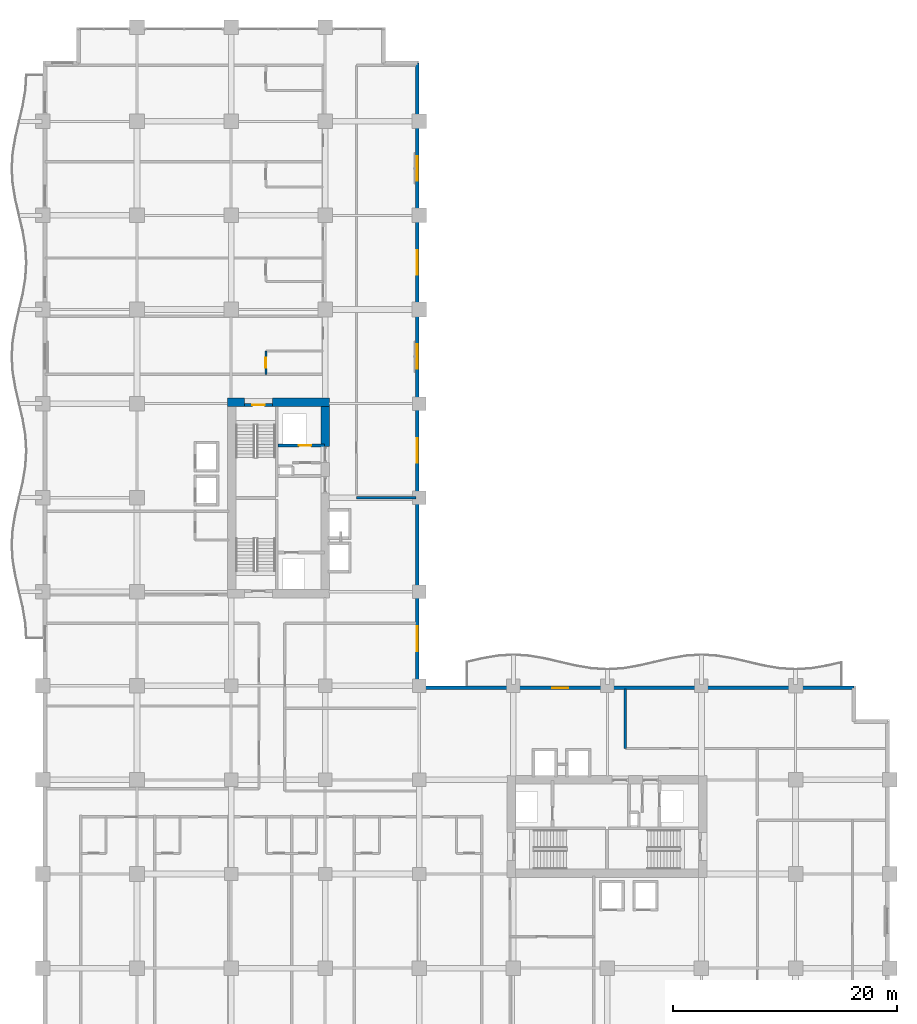
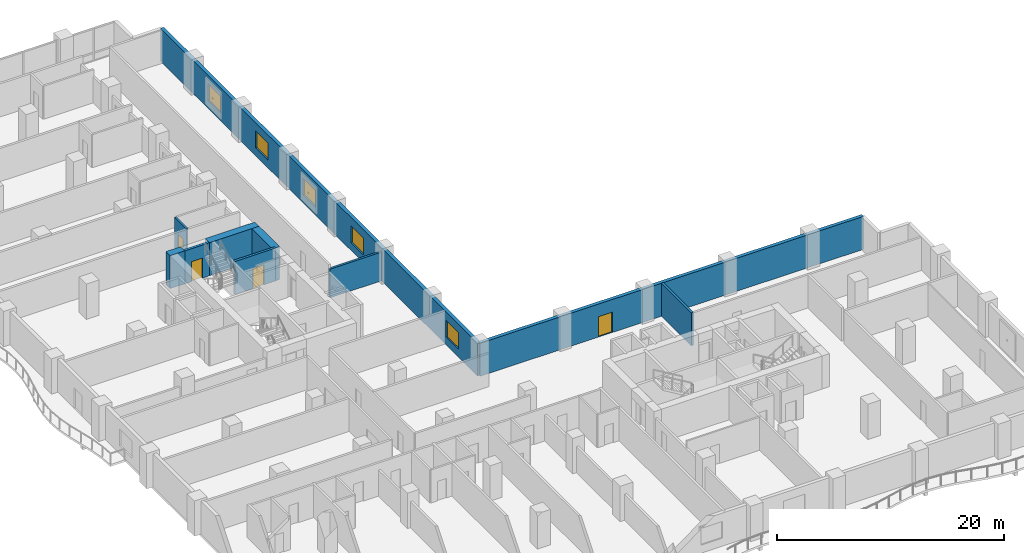
# One storey, part 11 of 20: 10 walls, 5 windows, 4 doors, 9 openings.
"""IFC4 building model written with IfcOpenShell, lengths in metres."""

from ifc_helpers import new_model, si_unit, direction, frame, frame_2d, origin, place, context, subcontext, project, spatial, rectangle, extrude, material, layer, layer_set, type_object, element, fill, save


model = new_model("IFC4")

# Units and contexts
model_context = context("Model", 3, precision=1e-05, world=origin(), true_north=direction((0.0, 1.0)))
body_context = subcontext(model_context, "Body", "Model", "MODEL_VIEW")
ifc_project = project(units=[si_unit("LENGTHUNIT", "METRE"), si_unit("AREAUNIT", "SQUARE_METRE"), si_unit("VOLUMEUNIT", "CUBIC_METRE"), si_unit("PLANEANGLEUNIT", "RADIAN"), si_unit("MASSUNIT", "GRAM", prefix="KILO")], contexts=[model_context])

# Site, building, storey
site_placement = place(None, origin())
site = spatial("IfcSite", under=ifc_project, at=site_placement, CompositionType="ELEMENT")
building_placement = place(site_placement, origin())
building = spatial("IfcBuilding", under=site, at=building_placement, Name="Koriwani Terraces Tower", CompositionType="ELEMENT")
storey_placement = place(building_placement, frame((0.0, 0.0, 126.60009765625)))
storey = spatial("IfcBuildingStorey", under=building, at=storey_placement, Name="L30", CompositionType="ELEMENT", Elevation=126.60009765625)

# Walls
ifc_material_1 = material(Name="Concrete C60/75", Category="concrete")
ifc_layer_1 = layer(ifc_material_1, 0.75, Name="Concrete C60/75")
ifc_layer_set_1 = layer_set([ifc_layer_1], Name="Concrete C60/75")
wall_type_1 = type_object("IfcWallType", Name="WALL_CORE_RC_750", PredefinedType="SHEAR", material=ifc_layer_set_1)
wall_1_placement = place(storey_placement, frame((16.5, 58.925048828125, 0.0), z_axis=(0.0, 0.0, 1.0), x_axis=(1.0, 0.0, 0.0)))
element("IfcWall", 1, at=wall_1_placement, inside=storey, type_object=wall_type_1, Name="L30 West Split Core Shear Wall N1", PredefinedType="SHEAR", context=body_context, shape_type="SweptSolid", body=[
    extrude(rectangle(XDim=1.5, YDim=0.75, at=frame_2d((0.75, 0.0))), origin(), (0.0, 0.0, 1.0), 3.5498046875),
])
wall_2_placement = place(storey_placement, frame((20.5, 58.925048828125, 0.0), z_axis=(0.0, 0.0, 1.0), x_axis=(1.0, 0.0, 0.0)))
element("IfcWall", 2, at=wall_2_placement, inside=storey, type_object=wall_type_1, Name="L30 West Split Core Shear Wall N2", PredefinedType="SHEAR", context=body_context, shape_type="SweptSolid", body=[
    extrude(rectangle(XDim=5.074951171875, YDim=0.75, at=frame_2d((2.53759765625, 0.0))), origin(), (0.0, 0.0, 1.0), 3.5498046875),
])
wall_3_placement = place(storey_placement, frame((25.199951171875, 54.949951171875, 0.0), z_axis=(0.0, 0.0, 1.0), x_axis=(0.0, 1.0, 0.0)))
element("IfcWall", 3, at=wall_3_placement, inside=storey, type_object=wall_type_1, Name="L30 West Split Core Shear Wall E3", PredefinedType="SHEAR", context=body_context, shape_type="SweptSolid", body=[
    extrude(rectangle(XDim=3.60009765625, YDim=0.75, at=frame_2d((1.800048828125, 0.0))), origin(), (0.0, 0.0, 1.0), 3.5498046875),
])
ifc_material_2 = material(Name="Autoclaved Cellular Concrete Blockwork", Category="masonry")
ifc_layer_2 = layer(ifc_material_2, 0.219970703125, Name="Autoclaved Cellular Concrete Blockwork")
ifc_layer_set_2 = layer_set([ifc_layer_2], Name="Autoclaved Cellular Concrete Blockwork")
wall_type_2 = type_object("IfcWallType", Name="WALL_DEMISING_220", PredefinedType="PARTITIONING", material=ifc_layer_set_2)
wall_4_placement = place(storey_placement, frame((28.0, 50.39990234375, 0.0), z_axis=(0.0, 0.0, 1.0), x_axis=(1.0, 0.0, 0.0)))
element("IfcWall", 4, at=wall_4_placement, inside=storey, type_object=wall_type_2, Name="L30 Interior Wall WNEC-S-L30", PredefinedType="PARTITIONING", context=body_context, shape_type="SweptSolid", body=[
    extrude(rectangle(XDim=5.300048828125, YDim=0.219970703125, at=frame_2d((2.64990234375, 0.0))), origin(), (0.0, 0.0, 1.0), 3.0869140625),
])
wall_5_placement = place(storey_placement, frame((52.0, 28.0, 0.0), z_axis=(0.0, 0.0, 1.0), x_axis=(0.0, 1.0, 0.0)))
element("IfcWall", 5, at=wall_5_placement, inside=storey, type_object=wall_type_2, Name="L30 Interior Wall WSET2-W-L30", PredefinedType="PARTITIONING", context=body_context, shape_type="SweptSolid", body=[
    extrude(rectangle(XDim=5.300048828125, YDim=0.219970703125, at=frame_2d((2.64990234375, 0.0))), origin(), (0.0, 0.0, 1.0), 3.5498046875),
])

# Wall, openings, windows
ifc_material_3 = material(Name="Concrete C50/60", Category="concrete")
ifc_layer_3 = layer(ifc_material_3, 0.35009765625, Name="Concrete C50/60")
ifc_layer_set_3 = layer_set([ifc_layer_3], Name="Concrete C50/60")
wall_type_3 = type_object("IfcWallType", Name="WALL_EXT_BRUTALIST_350", PredefinedType="STANDARD", material=ifc_layer_set_3)
wall_6_placement = place(storey_placement, frame((33.425048828125, 89.22509765625, 0.0), z_axis=(0.0, 0.0, 1.0), x_axis=(0.0, -1.0, 0.0)))
wall_6 = element("IfcWall", 6, at=wall_6_placement, inside=storey, type_object=wall_type_3, Name="L30 Fair-Faced Brutalist Exterior Wall (NW_IN)", PredefinedType="STANDARD", context=body_context, shape_type="SweptSolid", body=[
    extrude(rectangle(XDim=55.800048828125, YDim=0.35009765625, at=frame_2d((27.89990234375, 0.0))), origin(), (0.0, 0.0, 1.0), 3.5498046875),
])
opening_1_placement = place(wall_6_placement, frame((50.324951171875, 0.0, 0.85009765625)))
opening_1 = element("IfcOpeningElement", 7, at=opening_1_placement, cuts=wall_6, Name="Opening W-01", PredefinedType="OPENING", context=body_context, shape_type="SweptSolid", body=[
    extrude(rectangle(XDim=2.199951171875, YDim=1.800048828125, at=frame_2d((1.10009765625, 0.89990234375))), frame((0.0, 0.18505859375, 0.0), z_axis=(0.0, -1.0, 0.0), x_axis=(1.0, 0.0, 0.0)), (0.0, 0.0, 1.0), 0.3701171875),
])
opening_2_placement = place(wall_6_placement, frame((33.52490234375, 0.0, 0.85009765625)))
opening_2 = element("IfcOpeningElement", 8, at=opening_2_placement, cuts=wall_6, Name="Opening W-01", PredefinedType="OPENING", context=body_context, shape_type="SweptSolid", body=[
    extrude(rectangle(XDim=2.199951171875, YDim=1.800048828125, at=frame_2d((1.10009765625, 0.89990234375))), frame((0.0, 0.18505859375, 0.0), z_axis=(0.0, -1.0, 0.0), x_axis=(1.0, 0.0, 0.0)), (0.0, 0.0, 1.0), 0.3701171875),
])
opening_3_placement = place(wall_6_placement, frame((25.125, 0.0, 0.85009765625)))
opening_3 = element("IfcOpeningElement", 9, at=opening_3_placement, cuts=wall_6, Name="Opening W-01", PredefinedType="OPENING", context=body_context, shape_type="SweptSolid", body=[
    extrude(rectangle(XDim=2.199951171875, YDim=1.800048828125, at=frame_2d((1.10009765625, 0.89990234375))), frame((0.0, 0.18505859375, 0.0), z_axis=(0.0, -1.0, 0.0), x_axis=(1.0, 0.0, 0.0)), (0.0, 0.0, 1.0), 0.3701171875),
])
opening_4_placement = place(wall_6_placement, frame((16.72509765625, 0.0, 0.85009765625)))
opening_4 = element("IfcOpeningElement", 10, at=opening_4_placement, cuts=wall_6, Name="Opening W-01", PredefinedType="OPENING", context=body_context, shape_type="SweptSolid", body=[
    extrude(rectangle(XDim=2.199951171875, YDim=1.800048828125, at=frame_2d((1.10009765625, 0.89990234375))), frame((0.0, 0.18505859375, 0.0), z_axis=(0.0, -1.0, 0.0), x_axis=(1.0, 0.0, 0.0)), (0.0, 0.0, 1.0), 0.3701171875),
])
opening_5_placement = place(wall_6_placement, frame((8.324951171875, 0.0, 0.85009765625)))
opening_5 = element("IfcOpeningElement", 11, at=opening_5_placement, cuts=wall_6, Name="Opening W-01", PredefinedType="OPENING", context=body_context, shape_type="SweptSolid", body=[
    extrude(rectangle(XDim=2.199951171875, YDim=1.800048828125, at=frame_2d((1.10009765625, 0.89990234375))), frame((0.0, 0.18505859375, 0.0), z_axis=(0.0, -1.0, 0.0), x_axis=(1.0, 0.0, 0.0)), (0.0, 0.0, 1.0), 0.3701171875),
])
ifc_material_4 = material(Name="Tempered Laminated Low-E Glass", Category="glass")
window_type = type_object("IfcWindowType", Name="WIN_HOTEL_STD_2200X1800", PartitioningType="DOUBLE_PANEL_VERTICAL", PredefinedType="WINDOW", material=ifc_material_4)
window_1_placement = place(opening_1_placement, origin())
window_1 = element("IfcWindow", 12, at=window_1_placement, inside=storey, type_object=window_type, Name="L30 Exterior Window (NW_IN-2)", OverallHeight=1.800048828125, OverallWidth=2.199951171875, PartitioningType="SINGLE_PANEL", PredefinedType="WINDOW", context=body_context, shape_type="SweptSolid", body=[
    extrude(rectangle(XDim=2.199951171875, YDim=1.800048828125, at=frame_2d((1.10009765625, 0.89990234375))), frame((0.0, 0.030029296875, 0.0), z_axis=(0.0, -1.0, 0.0), x_axis=(1.0, 0.0, 0.0)), (0.0, 0.0, 1.0), 0.06005859375),
])
fill(opening_1, window_1)
window_2_placement = place(opening_2_placement, origin())
window_2 = element("IfcWindow", 13, at=window_2_placement, inside=storey, type_object=window_type, Name="L30 Exterior Window (NW_IN-8)", OverallHeight=1.800048828125, OverallWidth=2.199951171875, PartitioningType="SINGLE_PANEL", PredefinedType="WINDOW", context=body_context, shape_type="SweptSolid", body=[
    extrude(rectangle(XDim=2.199951171875, YDim=1.800048828125, at=frame_2d((1.10009765625, 0.89990234375))), frame((0.0, 0.030029296875, 0.0), z_axis=(0.0, -1.0, 0.0), x_axis=(1.0, 0.0, 0.0)), (0.0, 0.0, 1.0), 0.06005859375),
])
fill(opening_2, window_2)
window_3_placement = place(opening_3_placement, origin())
window_3 = element("IfcWindow", 14, at=window_3_placement, inside=storey, type_object=window_type, Name="L30 Exterior Window (NW_IN-11)", OverallHeight=1.800048828125, OverallWidth=2.199951171875, PartitioningType="SINGLE_PANEL", PredefinedType="WINDOW", context=body_context, shape_type="SweptSolid", body=[
    extrude(rectangle(XDim=2.199951171875, YDim=1.800048828125, at=frame_2d((1.10009765625, 0.89990234375))), frame((0.0, 0.030029296875, 0.0), z_axis=(0.0, -1.0, 0.0), x_axis=(1.0, 0.0, 0.0)), (0.0, 0.0, 1.0), 0.06005859375),
])
fill(opening_3, window_3)
window_4_placement = place(opening_4_placement, origin())
window_4 = element("IfcWindow", 15, at=window_4_placement, inside=storey, type_object=window_type, Name="L30 Exterior Window (NW_IN-14)", OverallHeight=1.800048828125, OverallWidth=2.199951171875, PartitioningType="SINGLE_PANEL", PredefinedType="WINDOW", context=body_context, shape_type="SweptSolid", body=[
    extrude(rectangle(XDim=2.199951171875, YDim=1.800048828125, at=frame_2d((1.10009765625, 0.89990234375))), frame((0.0, 0.030029296875, 0.0), z_axis=(0.0, -1.0, 0.0), x_axis=(1.0, 0.0, 0.0)), (0.0, 0.0, 1.0), 0.06005859375),
])
fill(opening_4, window_4)
window_5_placement = place(opening_5_placement, origin())
window_5 = element("IfcWindow", 16, at=window_5_placement, inside=storey, type_object=window_type, Name="L30 Exterior Window (NW_IN-17)", OverallHeight=1.800048828125, OverallWidth=2.199951171875, PartitioningType="SINGLE_PANEL", PredefinedType="WINDOW", context=body_context, shape_type="SweptSolid", body=[
    extrude(rectangle(XDim=2.199951171875, YDim=1.800048828125, at=frame_2d((1.10009765625, 0.89990234375))), frame((0.0, 0.030029296875, 0.0), z_axis=(0.0, -1.0, 0.0), x_axis=(1.0, 0.0, 0.0)), (0.0, 0.0, 1.0), 0.06005859375),
])
fill(opening_5, window_5)

# Wall, opening, door
wall_7_placement = place(storey_placement, frame((33.425048828125, 33.425048828125, 0.0), z_axis=(0.0, 0.0, 1.0), x_axis=(1.0, 0.0, 0.0)))
wall_7 = element("IfcWall", 17, at=wall_7_placement, inside=storey, type_object=wall_type_3, Name="L30 Fair-Faced Brutalist Exterior Wall (NE)", PredefinedType="STANDARD", context=body_context, shape_type="SweptSolid", body=[
    extrude(rectangle(XDim=39.0, YDim=0.35009765625, at=frame_2d((19.5, 0.0))), origin(), (0.0, 0.0, 1.0), 3.5498046875),
])
opening_6_placement = place(wall_7_placement, frame((12.074951171875, 0.0, 0.0)))
opening_6 = element("IfcOpeningElement", 18, at=opening_6_placement, cuts=wall_7, Name="Opening D-09", PredefinedType="OPENING", context=body_context, shape_type="SweptSolid", body=[
    extrude(rectangle(XDim=1.39990234375, YDim=2.199951171875, at=frame_2d((0.699951171875, 1.10009765625))), frame((0.0, 0.18505859375, 0.0), z_axis=(0.0, -1.0, 0.0), x_axis=(1.0, 0.0, 0.0)), (0.0, 0.0, 1.0), 0.3701171875),
])
ifc_material_5 = material(Name="Anodised Bronze Aluminium", Category="aluminium")
door_type_1 = type_object("IfcDoorType", Name="DOOR_BALCONY_GLAZED_1400X2200", OperationType="NOTDEFINED", PredefinedType="DOOR", material=ifc_material_5)
door_1_placement = place(opening_6_placement, origin())
door_1 = element("IfcDoor", 19, at=door_1_placement, inside=storey, type_object=door_type_1, Name="L30 Inner Court Balcony Glazed Door", OperationType="SINGLE_SWING_LEFT", OverallHeight=2.199951171875, OverallWidth=1.39990234375, PredefinedType="DOOR", context=body_context, shape_type="SweptSolid", body=[
    extrude(rectangle(XDim=1.39990234375, YDim=2.199951171875, at=frame_2d((0.699951171875, 1.10009765625))), frame((0.0, 0.02490234375, 0.0), z_axis=(0.0, -1.0, 0.0), x_axis=(1.0, 0.0, 0.0)), (0.0, 0.0, 1.0), 0.050048828125),
])
fill(opening_6, door_1)

ifc_material_6 = material(Name="Fire-Rated Acoustic Gypsum Partition", Category="masonry")
ifc_layer_4 = layer(ifc_material_6, 0.179931640625, Name="Fire-Rated Acoustic Gypsum Partition")
ifc_layer_set_4 = layer_set([ifc_layer_4], Name="Fire-Rated Acoustic Gypsum Partition")
wall_type_4 = type_object("IfcWallType", Name="WALL_PLUMBING_180", PredefinedType="PLUMBINGWALL", material=ifc_layer_set_4)
wall_8_placement = place(storey_placement, frame((19.89990234375, 61.39990234375, 0.0), z_axis=(0.0, 0.0, 1.0), x_axis=(0.0, 1.0, 0.0)))
wall_8 = element("IfcWall", 20, at=wall_8_placement, inside=storey, type_object=wall_type_4, Name="L30 Interior Wall WBTH1-L30-NE-0", PredefinedType="PLUMBINGWALL", context=body_context, shape_type="SweptSolid", body=[
    extrude(rectangle(XDim=2.080078125, YDim=0.179931640625, at=frame_2d((1.0400390625, 0.0))), origin(), (0.0, 0.0, 1.0), 3.5498046875),
])
opening_7_placement = place(wall_8_placement, frame((0.590087890625, 0.0, 0.0)))
opening_7 = element("IfcOpeningElement", 21, at=opening_7_placement, cuts=wall_8, Name="Opening D-07", PredefinedType="OPENING", context=body_context, shape_type="SweptSolid", body=[
    extrude(rectangle(XDim=0.89990234375, YDim=2.10009765625, at=frame_2d((0.449951171875, 1.050048828125))), frame((0.0, 0.10009765625, 0.0), z_axis=(0.0, -1.0, 0.0), x_axis=(1.0, 0.0, 0.0)), (0.0, 0.0, 1.0), 0.199951171875),
])
ifc_material_7 = material(Name="Architectural Oak Fire Door", Category="wood")
door_type_2 = type_object("IfcDoorType", Name="DOOR_BATH_INT_900X2100", OperationType="NOTDEFINED", PredefinedType="DOOR", material=ifc_material_7)
door_2_placement = place(opening_7_placement, origin())
door_2 = element("IfcDoor", 22, at=door_2_placement, inside=storey, type_object=door_type_2, Name="En-Suite Bathroom 30NE1 Door", OperationType="SINGLE_SWING_LEFT", OverallHeight=2.10009765625, OverallWidth=0.89990234375, PredefinedType="DOOR", context=body_context, shape_type="SweptSolid", body=[
    extrude(rectangle(XDim=0.89990234375, YDim=2.10009765625, at=frame_2d((0.449951171875, 1.050048828125))), frame((0.0, 0.02490234375, 0.0), z_axis=(0.0, -1.0, 0.0), x_axis=(1.0, 0.0, 0.0)), (0.0, 0.0, 1.0), 0.050048828125),
])
fill(opening_7, door_2)

ifc_material_8 = material(Name="Concrete C40/50", Category="concrete")
ifc_layer_5 = layer(ifc_material_8, 0.25, Name="Concrete C40/50")
ifc_layer_set_5 = layer_set([ifc_layer_5], Name="Concrete C40/50")
wall_type_5 = type_object("IfcWallType", Name="WALL_SHAFT_RATED_250", PredefinedType="SOLIDWALL", material=ifc_layer_set_5)
wall_9_placement = place(storey_placement, frame((18.0, 58.675048828125, 0.0), z_axis=(0.0, 0.0, 1.0), x_axis=(1.0, 0.0, 0.0)))
wall_9 = element("IfcWall", 23, at=wall_9_placement, inside=storey, type_object=wall_type_5, Name="L30 Interior Wall WIN-CW-L30-STN", PredefinedType="SOLIDWALL", context=body_context, shape_type="SweptSolid", body=[
    extrude(rectangle(XDim=2.5, YDim=0.25, at=frame_2d((1.25, 0.0))), origin(), (0.0, 0.0, 1.0), 3.5498046875),
])
opening_8_placement = place(wall_9_placement, frame((0.699951171875, 0.0, 0.0)))
opening_8 = element("IfcOpeningElement", 24, at=opening_8_placement, cuts=wall_9, Name="Opening D-03", PredefinedType="OPENING", context=body_context, shape_type="SweptSolid", body=[
    extrude(rectangle(XDim=1.10009765625, YDim=2.14990234375, at=frame_2d((0.550048828125, 1.074951171875))), frame((0.0, 0.135009765625, 0.0), z_axis=(0.0, -1.0, 0.0), x_axis=(1.0, 0.0, 0.0)), (0.0, 0.0, 1.0), 0.27001953125),
])
ifc_material_9 = material(Name="Steel ASTM A572 Grade 50", Category="steel")
door_type_3 = type_object("IfcDoorType", Name="DOOR_STAIR_FIRE_1100X2150", OperationType="NOTDEFINED", PredefinedType="DOOR", material=ifc_material_9)
door_3_placement = place(opening_8_placement, origin())
door_3 = element("IfcDoor", 25, at=door_3_placement, inside=storey, type_object=door_type_3, Name="L30 Exit Stair ST-W2 Door", OperationType="SINGLE_SWING_LEFT", OverallHeight=2.14990234375, OverallWidth=1.10009765625, PredefinedType="DOOR", context=body_context, shape_type="SweptSolid", body=[
    extrude(rectangle(XDim=1.10009765625, YDim=2.14990234375, at=frame_2d((0.550048828125, 1.074951171875))), frame((0.0, 0.02490234375, 0.0), z_axis=(0.0, -1.0, 0.0), x_axis=(1.0, 0.0, 0.0)), (0.0, 0.0, 1.0), 0.050048828125),
])
fill(opening_8, door_3)

wall_10_placement = place(storey_placement, frame((21.0, 55.050048828125, 0.0), z_axis=(0.0, 0.0, 1.0), x_axis=(1.0, 0.0, 0.0)))
wall_10 = element("IfcWall", 26, at=wall_10_placement, inside=storey, type_object=wall_type_5, Name="L30 Interior Wall WIN-CW-L30-SE", PredefinedType="SOLIDWALL", context=body_context, shape_type="SweptSolid", body=[
    extrude(rectangle(XDim=4.14990234375, YDim=0.25, at=frame_2d((2.074951171875, 0.0))), origin(), (0.0, 0.0, 1.0), 3.5498046875),
])
opening_9_placement = place(wall_10_placement, frame((1.85009765625, 0.0, 0.0)))
opening_9 = element("IfcOpeningElement", 27, at=opening_9_placement, cuts=wall_10, Name="Opening LD-01", PredefinedType="OPENING", context=body_context, shape_type="SweptSolid", body=[
    extrude(rectangle(XDim=1.10009765625, YDim=2.14990234375, at=frame_2d((0.550048828125, 1.074951171875))), frame((0.0, 0.135009765625, 0.0), z_axis=(0.0, -1.0, 0.0), x_axis=(1.0, 0.0, 0.0)), (0.0, 0.0, 1.0), 0.27001953125),
])
door_type_4 = type_object("IfcDoorType", Name="DOOR_LIFT_LANDING_1100X2200", OperationType="NOTDEFINED", PredefinedType="DOOR", material=ifc_material_9)
door_4_placement = place(opening_9_placement, origin())
door_4 = element("IfcDoor", 28, at=door_4_placement, inside=storey, type_object=door_type_4, Name="L30 Goods Lift SE-01 Landing Door", OperationType="SLIDING_TO_LEFT", OverallHeight=2.14990234375, OverallWidth=1.10009765625, PredefinedType="DOOR", context=body_context, shape_type="SweptSolid", body=[
    extrude(rectangle(XDim=1.10009765625, YDim=2.14990234375, at=frame_2d((0.550048828125, 1.074951171875))), frame((0.0, 0.02490234375, 0.0), z_axis=(0.0, -1.0, 0.0), x_axis=(1.0, 0.0, 0.0)), (0.0, 0.0, 1.0), 0.050048828125),
])
fill(opening_9, door_4)

save(model, "model.ifc")
